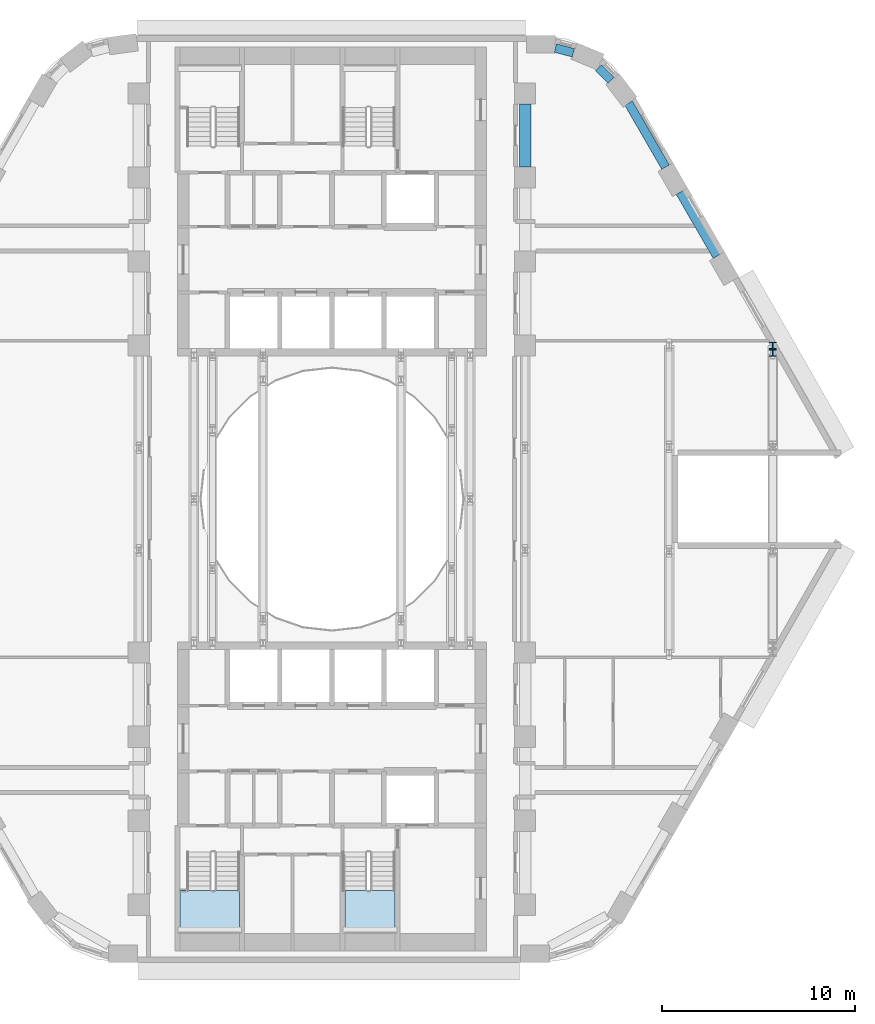
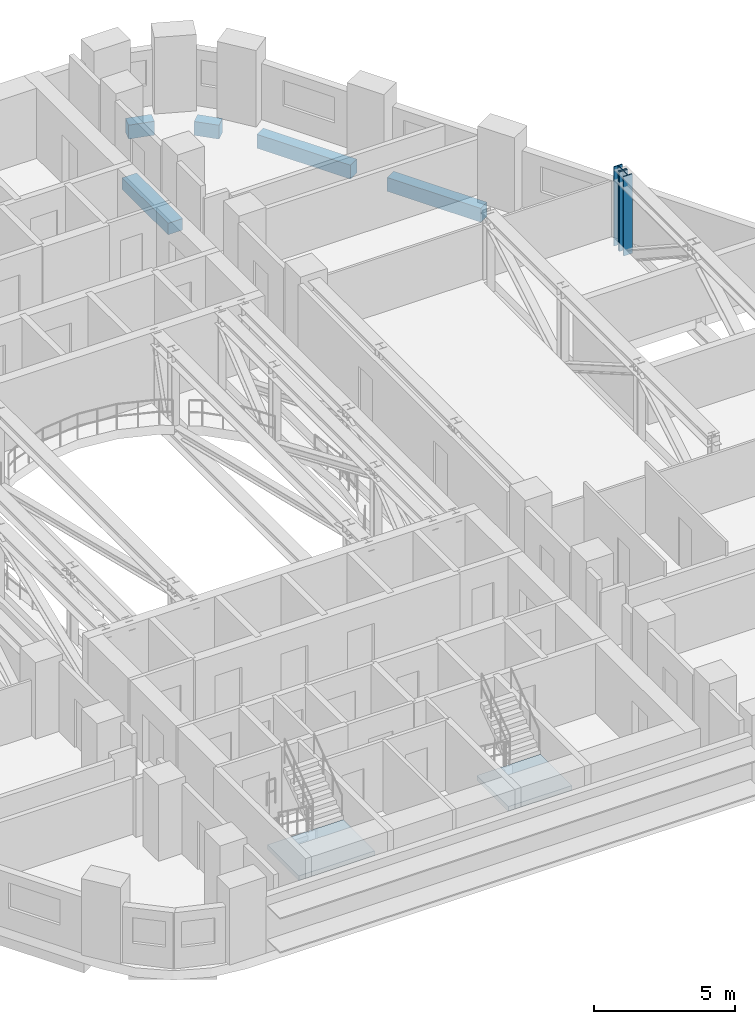
# One storey, part 5 of 18: 5 beams, 2 members, 2 slabs, 2 elements without a shape of their own.
"""IFC4 building model written with IfcOpenShell, lengths in metres."""

from ifc_helpers import new_model, si_unit, direction, frame, origin, origin_2d, place, context, subcontext, project, spatial, polyline, rectangle, i_section, outline, extrude, material, layer, layer_set, material_profile, profile_set, type_object, element, aggregate, save


model = new_model("IFC4")

# Units and contexts
model_context = context("Model", 3, precision=1e-05, world=origin(), true_north=direction((0.0, 1.0)))
body_context = subcontext(model_context, "Body", "Model", "MODEL_VIEW")
ifc_project = project(units=[si_unit("LENGTHUNIT", "METRE"), si_unit("AREAUNIT", "SQUARE_METRE"), si_unit("VOLUMEUNIT", "CUBIC_METRE"), si_unit("PLANEANGLEUNIT", "RADIAN"), si_unit("MASSUNIT", "GRAM", prefix="KILO")], contexts=[model_context])

# Site, building, storey
site_placement = place(None, origin())
site = spatial("IfcSite", under=ifc_project, at=site_placement, CompositionType="ELEMENT")
building_placement = place(site_placement, origin())
building = spatial("IfcBuilding", under=site, at=building_placement, Name="Nakaniwa Court", CompositionType="ELEMENT")
storey_placement = place(building_placement, frame((0.0, 0.0, 38.10009765625)))
storey = spatial("IfcBuildingStorey", under=building, at=storey_placement, Name="L09", CompositionType="ELEMENT", Elevation=38.10009765625)

# Beams
ifc_material_1 = material(Name="Concrete C100/115", Category="concrete")
ifc_material_profile_1 = material_profile(ifc_material_1, rectangle(XDim=0.449951171875, YDim=0.60009765625, at=origin_2d()), Name="Concrete C100/115 RC 450x600 spandrel beam")
ifc_profile_set_1 = profile_set([ifc_material_profile_1], Name="Concrete C100/115")
beam_type_1 = type_object("IfcBeamType", Name="Concrete C100/115 RC 450x600 spandrel beam", PredefinedType="BEAM", material=ifc_profile_set_1)
beam_1_placement = place(storey_placement, frame((99.933349609375, 92.57421875, -0.7001953125), z_axis=(-0.499961815444, 0.866047448526, 0.0), x_axis=(-0.866047448526, -0.499961815444, 0.0)))
element("IfcBeam", 1, at=beam_1_placement, inside=storey, type_object=beam_type_1, Name="SPANDREL BEAM", PredefinedType="BEAM", context=body_context, shape_type="SweptSolid", body=[
    extrude(rectangle(XDim=0.449951171875, YDim=0.60009765625, at=origin_2d()), origin(), (0.0, 0.0, 1.0), 3.825927734375),
])
beam_2_placement = place(storey_placement, frame((97.2705078125, 97.1865234375, -0.7001953125), z_axis=(-0.500023067617, 0.86601208528, 0.0), x_axis=(-0.86601208528, -0.500023067617, 0.0)))
element("IfcBeam", 2, at=beam_2_placement, inside=storey, type_object=beam_type_1, Name="SPANDREL BEAM", PredefinedType="BEAM", context=body_context, shape_type="SweptSolid", body=[
    extrude(rectangle(XDim=0.449951171875, YDim=0.60009765625, at=origin_2d()), origin(), (0.0, 0.0, 1.0), 3.819580078125),
])
beam_3_placement = place(storey_placement, frame((94.448486328125, 101.68505859375, -0.7001953125), z_axis=(-0.705908410536, 0.708303124329, 0.0), x_axis=(-0.708303124329, -0.705908410536, 0.0)))
element("IfcBeam", 3, at=beam_3_placement, inside=storey, type_object=beam_type_1, Name="SPANDREL BEAM", PredefinedType="BEAM", context=body_context, shape_type="SweptSolid", body=[
    extrude(rectangle(XDim=0.449951171875, YDim=0.60009765625, at=origin_2d()), origin(), (0.0, 0.0, 1.0), 0.91748046875),
])
beam_4_placement = place(storey_placement, frame((92.49609375, 103.10498046875, -0.7001953125), z_axis=(-0.966324126494, 0.257327966912, 0.0), x_axis=(-0.257327966912, -0.966324126494, 0.0)))
element("IfcBeam", 4, at=beam_4_placement, inside=storey, type_object=beam_type_1, Name="SPANDREL BEAM", PredefinedType="BEAM", context=body_context, shape_type="SweptSolid", body=[
    extrude(rectangle(XDim=0.449951171875, YDim=0.60009765625, at=origin_2d()), origin(), (0.0, 0.0, 1.0), 0.95361328125),
])
ifc_material_profile_2 = material_profile(ifc_material_1, rectangle(XDim=0.60009765625, YDim=0.5, at=origin_2d()), Name="Concrete C100/115 RC 600x500 ring beam")
ifc_profile_set_2 = profile_set([ifc_material_profile_2], Name="Concrete C100/115")
beam_type_2 = type_object("IfcBeamType", Name="Concrete C100/115 RC 600x500 ring beam", PredefinedType="BEAM", material=ifc_profile_set_2)
beam_5_placement = place(storey_placement, frame((90.0, 97.199951171875, -0.650146484375), z_axis=(0.0, 1.0, 0.0), x_axis=(-1.0, 0.0, 0.0)))
element("IfcBeam", 5, at=beam_5_placement, inside=storey, type_object=beam_type_2, Name="RING BEAM", PredefinedType="BEAM", context=body_context, shape_type="SweptSolid", body=[
    extrude(rectangle(XDim=0.60009765625, YDim=0.5, at=origin_2d()), origin(), (0.0, 0.0, 1.0), 3.25),
])

# Members
ifc_material_2 = material(Name="Steel Grade 350", Category="steel")
ifc_material_profile_3 = material_profile(ifc_material_2, i_section(OverallWidth=0.35009765625, OverallDepth=0.35498046875, WebThickness=0.028076171875, FlangeThickness=0.0400390625, at=origin_2d()), Name="350WC280")
ifc_profile_set_3 = profile_set([ifc_material_profile_3], Name="Steel Grade 350")
member_type = type_object("IfcMemberType", Name="TRANSFER post 350 WC280", PredefinedType="POST", material=ifc_profile_set_3)
for number, where, z_axis, x_axis, name in (
    (6, (102.822998046875, 87.569580078125, -0.400146484375), (0.0, 0.0, 1.0), (1.0, 0.0, 0.0), "TRANSFER POST TT-12-V5"),
    (7, (102.822998046875, 87.949951171875, -0.400146484375), (0.0, 0.0, 1.0), (1.0, 0.0, 0.0), "TRANSFER POST TT-12-V6"),
):
    element("IfcMember", number, at=place(storey_placement, frame(where, z_axis=z_axis, x_axis=x_axis)), inside=storey, type_object=member_type, Name=name, PredefinedType="POST", context=body_context, shape_type="SweptSolid", body=[
        extrude(i_section(OverallWidth=0.35009765625, OverallDepth=0.35498046875, WebThickness=0.028076171875, FlangeThickness=0.0400390625, at=origin_2d()), origin(), (0.0, 0.0, 1.0), 3.425048828125),
    ])

# Stair, slab
ifc_material_3 = material(Name="Concrete C80/100", Category="concrete")
stair_type = type_object("IfcStairType", Name="Dog leg stair 1300 wide 18 risers", PredefinedType="HALF_TURN_STAIR", material=ifc_material_3)
stair_1_placement = place(storey_placement, origin())
stair_1 = element("IfcStair", 8, at=stair_1_placement, inside=storey, type_object=stair_type, Name="L09 Stair ST3", PredefinedType="HALF_TURN_STAIR")
ifc_layer = layer(ifc_material_3, 0.199951171875)
ifc_layer_set = layer_set([ifc_layer], Name="Concrete C80/100")
slab_type = type_object("IfcSlabType", Name="Stair landing concrete", PredefinedType="LANDING", material=ifc_layer_set)
slab_1_placement = place(storey_placement, frame((0.0, 0.0, 1.449951171875)))
slab_1 = element("IfcSlab", 9, at=slab_1_placement, type_object=slab_type, Name="ST3 landing 1", PredefinedType="LANDING", context=body_context, shape_type="SweptSolid", body=[
    extrude(outline(polyline([(75.22509765625, 57.5), (75.22509765625, 59.72509765625), (72.125, 59.72509765625), (72.125, 57.5), (75.22509765625, 57.5)])), origin(), (0.0, 0.0, 1.0), 0.199951171875),
])
aggregate(stair_1, [slab_1])

stair_2_placement = place(storey_placement, origin())
stair_2 = element("IfcStair", 10, at=stair_2_placement, inside=storey, type_object=stair_type, Name="L09 Stair ST4", PredefinedType="HALF_TURN_STAIR")
slab_2_placement = place(storey_placement, frame((0.0, 0.0, 1.449951171875)))
slab_2 = element("IfcSlab", 11, at=slab_2_placement, type_object=slab_type, Name="ST4 landing 1", PredefinedType="LANDING", context=body_context, shape_type="SweptSolid", body=[
    extrude(outline(polyline([(83.27490234375, 57.5), (83.27490234375, 59.72509765625), (80.675048828125, 59.72509765625), (80.675048828125, 57.5), (83.27490234375, 57.5)])), origin(), (0.0, 0.0, 1.0), 0.199951171875),
])
aggregate(stair_2, [slab_2])

save(model, "model.ifc")
